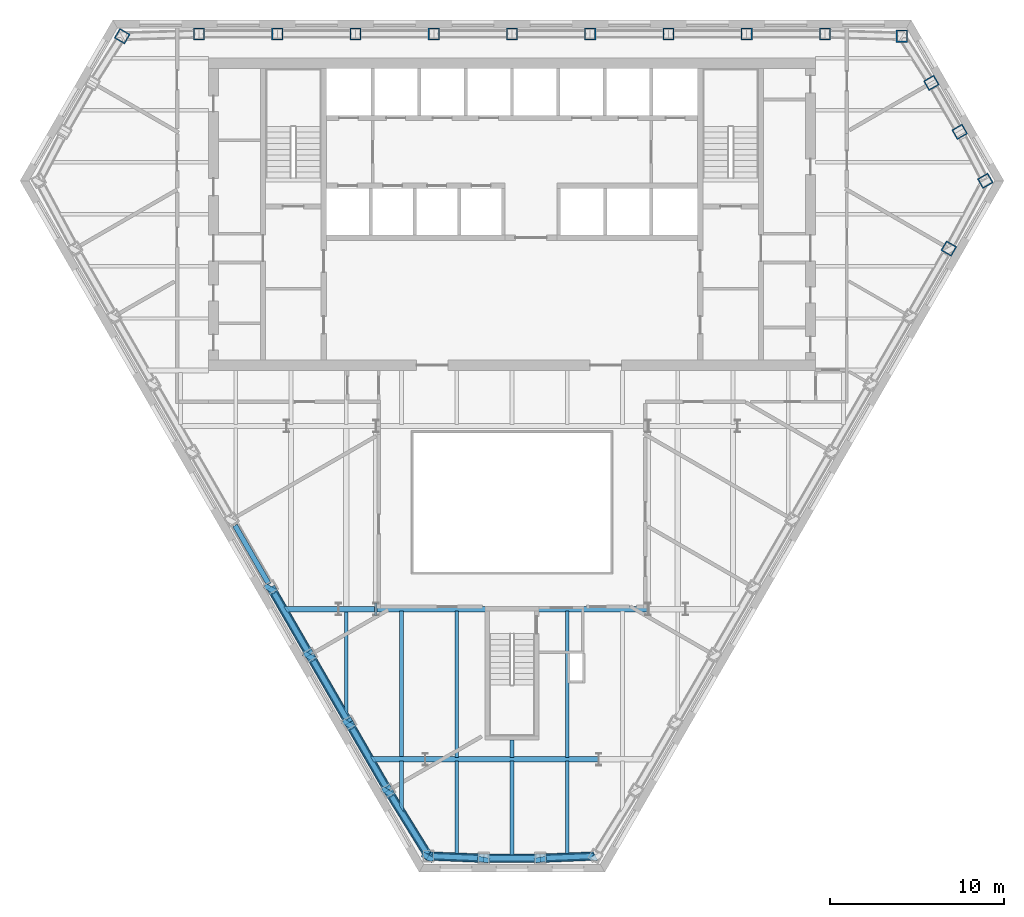
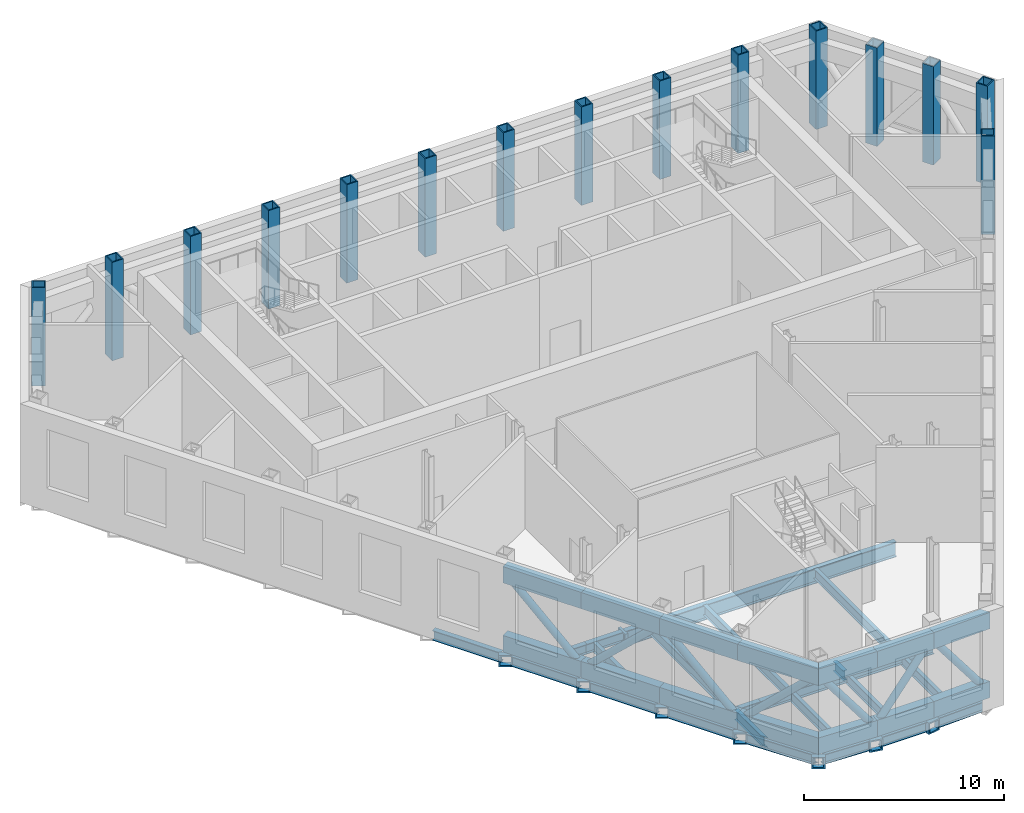
# One storey, part 2 of 14: 30 beams, 21 members, 15 columns.
"""IFC4 building model written with IfcOpenShell, lengths in metres."""

from ifc_helpers import new_model, si_unit, direction, frame, origin, origin_2d, place, context, subcontext, project, spatial, hollow_rectangle, hollow_circle, i_section, extrude, clip, halfspace, material, material_profile, profile_set, type_object, element, save


model = new_model("IFC4")

# Units and contexts
model_context = context("Model", 3, precision=1e-05, world=origin(), true_north=direction((0.0, 1.0)))
body_context = subcontext(model_context, "Body", "Model", "MODEL_VIEW")
ifc_project = project(units=[si_unit("LENGTHUNIT", "METRE"), si_unit("AREAUNIT", "SQUARE_METRE"), si_unit("VOLUMEUNIT", "CUBIC_METRE"), si_unit("PLANEANGLEUNIT", "RADIAN"), si_unit("MASSUNIT", "GRAM", prefix="KILO")], contexts=[model_context])

# Site, building, storey
site_placement = place(None, origin())
site = spatial("IfcSite", under=ifc_project, at=site_placement, CompositionType="ELEMENT")
building_placement = place(site_placement, origin())
building = spatial("IfcBuilding", under=site, at=building_placement, Name="Njiva Tower", CompositionType="ELEMENT")
storey_placement = place(building_placement, frame((0.0, 0.0, 78.3)))
storey = spatial("IfcBuildingStorey", under=building, at=storey_placement, Name="L16", CompositionType="ELEMENT", Elevation=78.3)

# Columns
ifc_material_1 = material(Name="Steel S355 J2", Category="steel")
ifc_material_profile_1 = material_profile(ifc_material_1, hollow_rectangle(XDim=0.65, YDim=0.7, WallThickness=0.065, at=origin_2d()), Name="BOX 700x650x65")
ifc_profile_set_1 = profile_set([ifc_material_profile_1], Name="Steel S355 J2")
column_type = type_object("IfcColumnType", Name="C7 Perimeter tube column BOX 700x650x65", PredefinedType="COLUMN", material=ifc_profile_set_1)
for number, where, z_axis, x_axis, name in (
    (1, (22.461, 19.267, 0.0), (0.0, 0.0, 1.0), (-1.0, 0.0, 0.0), "Perimeter tube column T1-C01"),
    (2, (18.03, 19.4, 0.0), (0.0, 0.0, 1.0), (-1.0, 0.0, 0.0), "Perimeter tube column T1-C02"),
    (3, (13.523, 19.4, 0.0), (0.0, 0.0, 1.0), (-1.0, 0.0, 0.0), "Perimeter tube column T1-C03"),
    (4, (9.015, 19.4, 0.0), (0.0, 0.0, 1.0), (-1.0, 0.0, 0.0), "Perimeter tube column T1-C04"),
    (5, (4.508, 19.4, 0.0), (0.0, 0.0, 1.0), (-1.0, 0.0, 0.0), "Perimeter tube column T1-C05"),
    (6, (0.0, 19.4, 0.0), (0.0, 0.0, 1.0), (-1.0, 0.0, 0.0), "Perimeter tube column T1-C06"),
    (7, (-4.508, 19.4, 0.0), (0.0, 0.0, 1.0), (-1.0, 0.0, 0.0), "Perimeter tube column T1-C07"),
    (8, (-9.015, 19.4, 0.0), (0.0, 0.0, 1.0), (-1.0, 0.0, 0.0), "Perimeter tube column T1-C08"),
    (9, (-13.523, 19.4, 0.0), (0.0, 0.0, 1.0), (-1.0, 0.0, 0.0), "Perimeter tube column T1-C09"),
    (10, (-18.03, 19.4, 0.0), (0.0, 0.0, 1.0), (-1.0, 0.0, 0.0), "Perimeter tube column T1-C10"),
    (11, (-22.461, 19.267, 0.0), (0.0, 0.0, 1.0), (-0.5, -0.866025403784, 0.0), "Perimeter tube column T1-C11"),
    (12, (25.172, 7.03, 0.0), (0.0, 0.0, 1.0), (0.5, 0.866025403784, 0.0), "Perimeter tube column T1-C36"),
    (13, (27.273, 10.934, 0.0), (0.0, 0.0, 1.0), (-0.5, 0.866025403784, 0.0), "Perimeter tube column T1-C37"),
    (14, (25.797, 13.756, 0.0), (0.0, 0.0, 1.0), (-0.5, 0.866025403784, 0.0), "Perimeter tube column T1-C38"),
    (15, (24.167, 16.578, 0.0), (0.0, 0.0, 1.0), (-0.5, 0.866025403784, 0.0), "Perimeter tube column T1-C39"),
):
    element("IfcColumn", number, at=place(storey_placement, frame(where, z_axis=z_axis, x_axis=x_axis)), inside=storey, type_object=column_type, Name=name, PredefinedType="COLUMN", context=body_context, shape_type="SweptSolid", body=[
        extrude(hollow_rectangle(XDim=0.65, YDim=0.7, WallThickness=0.065, at=origin_2d()), origin(), (0.0, 0.0, 1.0), 6.0),
    ])

# Beams
ifc_material_profile_2 = material_profile(ifc_material_1, i_section(OverallWidth=0.22, OverallDepth=0.6, WebThickness=0.012, FlangeThickness=0.019, at=origin_2d()), Name="IPE 600")
ifc_profile_set_2 = profile_set([ifc_material_profile_2], Name="Steel S355 J2")
beam_type_1 = type_object("IfcBeamType", Name="B13 Floor joist IPE 600", PredefinedType="JOIST", material=ifc_profile_set_2)
beam_1_placement = place(storey_placement, frame((-9.55, -13.85, -0.5), z_axis=(0.0, -1.0, 0.0), x_axis=(1.0, 0.0, 0.0)))
element("IfcBeam", 16, at=beam_1_placement, inside=storey, type_object=beam_type_1, Name="Floor joist T1-B063", PredefinedType="JOIST", context=body_context, shape_type="Clipping", body=[
    clip(extrude(i_section(OverallWidth=0.22, OverallDepth=0.6, WebThickness=0.012, FlangeThickness=0.019, at=origin_2d()), origin(), (0.0, 0.0, 1.0), 6.19), halfspace(frame((-0.0433, 0.0, 5.904), z_axis=(-0.866026552831, 0.0, 0.499998009787), x_axis=(0.0, 1.0, 0.0)), False)),
])
for number, where, z_axis, x_axis, name in (
    (17, (-6.367, -13.851, -0.5), (0.0, -1.0, 0.0), (1.0, 0.0, 0.0), "Floor joist T1-B067"),
    (18, (-3.183, -13.851, -0.5), (0.0, -1.0, 0.0), (1.0, 0.0, 0.0), "Floor joist T1-B070"),
):
    element("IfcBeam", number, at=place(storey_placement, frame(where, z_axis=z_axis, x_axis=x_axis)), inside=storey, type_object=beam_type_1, Name=name, PredefinedType="JOIST", context=body_context, shape_type="SweptSolid", body=[
        extrude(i_section(OverallWidth=0.22, OverallDepth=0.6, WebThickness=0.012, FlangeThickness=0.019, at=origin_2d()), origin(), (0.0, 0.0, 1.0), 8.449),
    ])
beam_2_placement = place(storey_placement, frame((-3.183, -22.5, -0.5), z_axis=(0.0, -1.0, 0.0), x_axis=(1.0, 0.0, 0.0)))
element("IfcBeam", 19, at=beam_2_placement, inside=storey, type_object=beam_type_1, Name="Floor joist T1-B069", PredefinedType="JOIST", context=body_context, shape_type="SweptSolid", body=[
    extrude(i_section(OverallWidth=0.22, OverallDepth=0.6, WebThickness=0.012, FlangeThickness=0.019, at=origin_2d()), origin(), (0.0, 0.0, 1.0), 5.435),
])
beam_3_placement = place(storey_placement, frame((0.0, -22.5, -0.5), z_axis=(0.0, -1.0, 0.0), x_axis=(1.0, 0.0, 0.0)))
element("IfcBeam", 20, at=beam_3_placement, inside=storey, type_object=beam_type_1, Name="Floor joist T1-B072", PredefinedType="JOIST", context=body_context, shape_type="SweptSolid", body=[
    extrude(i_section(OverallWidth=0.22, OverallDepth=0.6, WebThickness=0.012, FlangeThickness=0.019, at=origin_2d()), origin(), (0.0, 0.0, 1.0), 5.504),
])
beam_4_placement = place(storey_placement, frame((3.183, -13.851, -0.5), z_axis=(0.0, -1.0, 0.0), x_axis=(1.0, 0.0, 0.0)))
element("IfcBeam", 21, at=beam_4_placement, inside=storey, type_object=beam_type_1, Name="Floor joist T1-B076", PredefinedType="JOIST", context=body_context, shape_type="SweptSolid", body=[
    extrude(i_section(OverallWidth=0.22, OverallDepth=0.6, WebThickness=0.012, FlangeThickness=0.019, at=origin_2d()), origin(), (0.0, 0.0, 1.0), 8.449),
])
beam_5_placement = place(storey_placement, frame((3.183, -22.5, -0.5), z_axis=(0.0, -1.0, 0.0), x_axis=(1.0, 0.0, 0.0)))
element("IfcBeam", 22, at=beam_5_placement, inside=storey, type_object=beam_type_1, Name="Floor joist T1-B075", PredefinedType="JOIST", context=body_context, shape_type="SweptSolid", body=[
    extrude(i_section(OverallWidth=0.22, OverallDepth=0.6, WebThickness=0.012, FlangeThickness=0.019, at=origin_2d()), origin(), (0.0, 0.0, 1.0), 5.435),
])
ifc_material_profile_3 = material_profile(ifc_material_1, i_section(OverallWidth=0.22, OverallDepth=0.6, WebThickness=0.012, FlangeThickness=0.019, at=origin_2d()), Name="IPE 600")
ifc_profile_set_3 = profile_set([ifc_material_profile_3], Name="Steel S355 J2")
beam_type_2 = type_object("IfcBeamType", Name="B14 Short-span floor joist IPE 600", PredefinedType="JOIST", material=ifc_profile_set_3)
beam_6_placement = place(storey_placement, frame((-6.367, -22.5, -0.5), z_axis=(0.0, -1.0, 0.0), x_axis=(1.0, 0.0, 0.0)))
element("IfcBeam", 23, at=beam_6_placement, inside=storey, type_object=beam_type_2, Name="Short-span floor joist T1-B066", PredefinedType="JOIST", context=body_context, shape_type="Clipping", body=[
    clip(extrude(i_section(OverallWidth=0.22, OverallDepth=0.6, WebThickness=0.012, FlangeThickness=0.019, at=origin_2d()), origin(), (0.0, 0.0, 1.0), 2.962), halfspace(frame((-0.0422, 0.0, 2.6952), z_axis=(-0.850620428373, 0.0, 0.525780264783), x_axis=(0.0, 1.0, 0.0)), False)),
])
beam_7_placement = place(storey_placement, frame((0.0, -21.3, -0.5), z_axis=(0.0, -1.0, 0.0), x_axis=(1.0, 0.0, 0.0)))
element("IfcBeam", 24, at=beam_7_placement, inside=storey, type_object=beam_type_2, Name="Short-span floor joist T1-B073", PredefinedType="JOIST", context=body_context, shape_type="SweptSolid", body=[
    extrude(i_section(OverallWidth=0.22, OverallDepth=0.6, WebThickness=0.012, FlangeThickness=0.019, at=origin_2d()), origin(), (0.0, 0.0, 1.0), 1.0),
])
ifc_material_profile_4 = material_profile(ifc_material_1, hollow_rectangle(XDim=0.7, YDim=0.7, WallThickness=0.08, at=origin_2d()), Name="BOX 700x700x80")
ifc_profile_set_4 = profile_set([ifc_material_profile_4], Name="Steel S355 J2")
beam_type_3 = type_object("IfcBeamType", Name="B19 Column jog beam BOX 700x700x80", PredefinedType="BEAM", material=ifc_profile_set_4)
for number, where, z_axis, x_axis, name in (
    (25, (-14.023, -12.697, -0.55), (0.49972245349, 0.866185586049, 0.0), (-0.866185586049, 0.49972245349, 0.0), "Column jog beam T1-B034"),
    (26, (-11.77, -16.6, -0.55), (0.49972245349, 0.866185586049, 0.0), (-0.866185586049, 0.49972245349, 0.0), "Column jog beam T1-B035"),
    (27, (-9.516, -20.504, -0.55), (0.49972245349, 0.866185586049, 0.0), (-0.866185586049, 0.49972245349, 0.0), "Column jog beam T1-B036"),
    (28, (-7.262, -24.408, -0.55), (0.49972245349, 0.866185586049, 0.0), (-0.866185586049, 0.49972245349, 0.0), "Column jog beam T1-B039"),
):
    element("IfcBeam", number, at=place(storey_placement, frame(where, z_axis=z_axis, x_axis=x_axis)), inside=storey, type_object=beam_type_3, Name=name, PredefinedType="BEAM", context=body_context, shape_type="SweptSolid", body=[
        extrude(hollow_rectangle(XDim=0.7, YDim=0.7, WallThickness=0.08, at=origin_2d()), origin(), (0.0, 0.0, 1.0), 0.3002),
    ])
beam_8_placement = place(storey_placement, frame((-4.931, -28.178, -0.55), z_axis=(0.501167968632, 0.865350025838, 0.0), x_axis=(-0.865350025838, 0.501167968632, 0.0)))
element("IfcBeam", 29, at=beam_8_placement, inside=storey, type_object=beam_type_3, Name="Column jog beam T1-B040", PredefinedType="BEAM", context=body_context, shape_type="SweptSolid", body=[
    extrude(hollow_rectangle(XDim=0.7, YDim=0.7, WallThickness=0.08, at=origin_2d()), origin(), (0.0, 0.0, 1.0), 0.2993),
])
for number, where, z_axis, x_axis, name in (
    (30, (-1.67, -28.319, -0.55), (0.186452999461, 0.982463881775, 0.0), (-0.982463881775, 0.186452999461, 0.0), "Column jog beam T1-B041"),
    (31, (1.67, -28.319, -0.55), (-0.186452999461, 0.982463881775, 0.0), (-0.982463881775, -0.186452999461, 0.0), "Column jog beam T1-B042"),
):
    element("IfcBeam", number, at=place(storey_placement, frame(where, z_axis=z_axis, x_axis=x_axis)), inside=storey, type_object=beam_type_3, Name=name, PredefinedType="BEAM", context=body_context, shape_type="SweptSolid", body=[
        extrude(hollow_rectangle(XDim=0.7, YDim=0.7, WallThickness=0.08, at=origin_2d()), origin(), (0.0, 0.0, 1.0), 0.2789),
    ])
beam_9_placement = place(storey_placement, frame((-7.93, -13.75, -0.55), z_axis=(1.0, 0.0, 0.0), x_axis=(0.0, 1.0, 0.0)))
element("IfcBeam", 32, at=beam_9_placement, inside=storey, type_object=beam_type_3, Name="Column jog beam T1-B037", PredefinedType="BEAM", context=body_context, shape_type="SweptSolid", body=[
    extrude(hollow_rectangle(XDim=0.7, YDim=0.7, WallThickness=0.08, at=origin_2d()), origin(), (0.0, 0.0, 1.0), 0.16),
])
ifc_material_profile_5 = material_profile(ifc_material_1, i_section(OverallWidth=0.3, OverallDepth=0.6, WebThickness=0.0155, FlangeThickness=0.03, at=origin_2d()), Name="HEB 600")
ifc_profile_set_5 = profile_set([ifc_material_profile_5], Name="Steel S355 J2")
beam_type_4 = type_object("IfcBeamType", Name="B21 Short-span floor girder HEB 600", PredefinedType="BEAM", material=ifc_profile_set_5)
beam_10_placement = place(storey_placement, frame((-13.167, -13.75, -0.5), z_axis=(1.0, 0.0, 0.0), x_axis=(0.0, 1.0, 0.0)))
element("IfcBeam", 33, at=beam_10_placement, inside=storey, type_object=beam_type_4, Name="Short-span floor girder T1-B015", PredefinedType="BEAM", context=body_context, shape_type="Clipping", body=[
    clip(extrude(i_section(OverallWidth=0.3, OverallDepth=0.6, WebThickness=0.0155, FlangeThickness=0.03, at=origin_2d()), origin(), (0.0, 0.0, 1.0), 3.167), halfspace(frame((-0.025, 0.0, 0.1217), z_axis=(-0.499998009787, 0.0, -0.866026552831), x_axis=(0.0, -1.0, 0.0)), False)),
])
beam_11_placement = place(storey_placement, frame((-10.0, -13.75, -0.5), z_axis=(1.0, 0.0, 0.0), x_axis=(0.0, 1.0, 0.0)))
element("IfcBeam", 34, at=beam_11_placement, inside=storey, type_object=beam_type_4, Name="Short-span floor girder T1-B017", PredefinedType="BEAM", context=body_context, shape_type="SweptSolid", body=[
    extrude(i_section(OverallWidth=0.3, OverallDepth=0.6, WebThickness=0.0155, FlangeThickness=0.03, at=origin_2d()), origin(), (0.0, 0.0, 1.0), 2.17),
])
beam_12_placement = place(storey_placement, frame((-8.173, -22.4, -0.5), z_axis=(1.0, 0.0, 0.0), x_axis=(0.0, 1.0, 0.0)))
element("IfcBeam", 35, at=beam_12_placement, inside=storey, type_object=beam_type_4, Name="Short-span floor girder T1-B018", PredefinedType="BEAM", context=body_context, shape_type="Clipping", body=[
    clip(extrude(i_section(OverallWidth=0.3, OverallDepth=0.6, WebThickness=0.0155, FlangeThickness=0.03, at=origin_2d()), origin(), (0.0, 0.0, 1.0), 3.173), halfspace(frame((-0.025, 0.0, 0.1218), z_axis=(-0.499998009787, 0.0, -0.866026552831), x_axis=(0.0, -1.0, 0.0)), False)),
])
ifc_material_profile_6 = material_profile(ifc_material_1, i_section(OverallWidth=0.3, OverallDepth=0.6, WebThickness=0.0155, FlangeThickness=0.03, at=origin_2d()), Name="HEB 600")
ifc_profile_set_6 = profile_set([ifc_material_profile_6], Name="Steel S355 J2")
beam_type_5 = type_object("IfcBeamType", Name="B22 Long-span floor girder HEB 600", PredefinedType="BEAM", material=ifc_profile_set_6)
beam_13_placement = place(storey_placement, frame((-5.0, -22.4, -0.5), z_axis=(1.0, 0.0, 0.0), x_axis=(0.0, 1.0, 0.0)))
element("IfcBeam", 36, at=beam_13_placement, inside=storey, type_object=beam_type_5, Name="Long-span floor girder T1-B019", PredefinedType="BEAM", context=body_context, shape_type="SweptSolid", body=[
    extrude(i_section(OverallWidth=0.3, OverallDepth=0.6, WebThickness=0.0155, FlangeThickness=0.03, at=origin_2d()), origin(), (0.0, 0.0, 1.0), 10.0),
])
ifc_material_profile_7 = material_profile(ifc_material_1, i_section(OverallWidth=0.3, OverallDepth=0.6, WebThickness=0.0155, FlangeThickness=0.03, at=origin_2d()), Name="HEB 600")
ifc_profile_set_7 = profile_set([ifc_material_profile_7], Name="Steel S355 J2")
beam_type_6 = type_object("IfcBeamType", Name="B3 Short-span spandrel beam HEB 600", PredefinedType="SPANDREL", material=ifc_profile_set_7)
beam_14_placement = place(storey_placement, frame((-15.962, -8.923, -0.5), z_axis=(0.500047346826, -0.865998066356, 0.0), x_axis=(0.865998066356, 0.500047346826, 0.0)))
element("IfcBeam", 37, at=beam_14_placement, inside=storey, type_object=beam_type_6, Name="Short-span spandrel beam T1-B103", PredefinedType="SPANDREL", context=body_context, shape_type="SweptSolid", body=[
    extrude(i_section(OverallWidth=0.3, OverallDepth=0.6, WebThickness=0.0155, FlangeThickness=0.03, at=origin_2d()), origin(), (0.0, 0.0, 1.0), 3.9076),
])
beam_15_placement = place(storey_placement, frame((-13.708, -12.827, -0.5), z_axis=(0.499966215292, -0.866044908516, 0.0), x_axis=(0.866044908516, 0.499966215292, 0.0)))
element("IfcBeam", 38, at=beam_15_placement, inside=storey, type_object=beam_type_6, Name="Short-span spandrel beam T1-B104", PredefinedType="SPANDREL", context=body_context, shape_type="SweptSolid", body=[
    extrude(i_section(OverallWidth=0.3, OverallDepth=0.6, WebThickness=0.0155, FlangeThickness=0.03, at=origin_2d()), origin(), (0.0, 0.0, 1.0), 3.9063),
])
for number, where, z_axis, x_axis, name in (
    (39, (-11.455, -16.73, -0.5), (0.500047346826, -0.865998066356, 0.0), (0.865998066356, 0.500047346826, 0.0), "Short-span spandrel beam T1-B106"),
    (40, (-9.201, -20.634, -0.5), (0.500047346826, -0.865998066356, 0.0), (0.865998066356, 0.500047346826, 0.0), "Short-span spandrel beam T1-B107"),
):
    element("IfcBeam", number, at=place(storey_placement, frame(where, z_axis=z_axis, x_axis=x_axis)), inside=storey, type_object=beam_type_6, Name=name, PredefinedType="SPANDREL", context=body_context, shape_type="SweptSolid", body=[
        extrude(i_section(OverallWidth=0.3, OverallDepth=0.6, WebThickness=0.0155, FlangeThickness=0.03, at=origin_2d()), origin(), (0.0, 0.0, 1.0), 3.9076),
    ])
beam_16_placement = place(storey_placement, frame((-6.935, -24.535, -0.5), z_axis=(0.525740490593, -0.850645012065, 0.0), x_axis=(0.850645012065, 0.525740490593, 0.0)))
element("IfcBeam", 41, at=beam_16_placement, inside=storey, type_object=beam_type_6, Name="Short-span spandrel beam T1-B109", PredefinedType="SPANDREL", context=body_context, shape_type="Clipping", body=[
    clip(extrude(i_section(OverallWidth=0.3, OverallDepth=0.6, WebThickness=0.0155, FlangeThickness=0.03, at=origin_2d()), origin(), (0.0, 0.0, 1.0), 3.9818), halfspace(frame((-0.0259, 0.0, 3.8528), z_axis=(-0.525740490593, 0.0, 0.850645012065), x_axis=(0.0, 1.0, 0.0)), False)),
])
beam_17_placement = place(storey_placement, frame((-4.596, -27.98, -0.5), z_axis=(0.999127801914, -0.041756861022, 0.0), x_axis=(0.041756861022, 0.999127801914, 0.0)))
element("IfcBeam", 42, at=beam_17_placement, inside=storey, type_object=beam_type_6, Name="Short-span spandrel beam T1-B110", PredefinedType="SPANDREL", context=body_context, shape_type="SweptSolid", body=[
    extrude(i_section(OverallWidth=0.3, OverallDepth=0.6, WebThickness=0.0155, FlangeThickness=0.03, at=origin_2d()), origin(), (0.0, 0.0, 1.0), 2.6343),
])
beam_18_placement = place(storey_placement, frame((-1.359, -28.104, -0.5), z_axis=(1.0, 0.0, 0.0), x_axis=(0.0, 1.0, 0.0)))
element("IfcBeam", 43, at=beam_18_placement, inside=storey, type_object=beam_type_6, Name="Short-span spandrel beam T1-B112", PredefinedType="SPANDREL", context=body_context, shape_type="SweptSolid", body=[
    extrude(i_section(OverallWidth=0.3, OverallDepth=0.6, WebThickness=0.0155, FlangeThickness=0.03, at=origin_2d()), origin(), (0.0, 0.0, 1.0), 2.718),
])
beam_19_placement = place(storey_placement, frame((1.964, -28.09, -0.5), z_axis=(0.999125290751, 0.041816903051, 0.0), x_axis=(-0.041816903051, 0.999125290751, 0.0)))
element("IfcBeam", 44, at=beam_19_placement, inside=storey, type_object=beam_type_6, Name="Short-span spandrel beam T1-B114", PredefinedType="SPANDREL", context=body_context, shape_type="Clipping", body=[
    clip(extrude(i_section(OverallWidth=0.3, OverallDepth=0.6, WebThickness=0.0155, FlangeThickness=0.03, at=origin_2d()), origin(), (0.0, 0.0, 1.0), 2.7933), halfspace(frame((-0.0265, 0.0, 2.6616), z_axis=(-0.535775205303, 0.0, 0.844360663095), x_axis=(0.0, 1.0, 0.0)), False)),
])
ifc_material_profile_8 = material_profile(ifc_material_1, i_section(OverallWidth=0.302, OverallDepth=0.91, WebThickness=0.021, FlangeThickness=0.04, at=origin_2d()), Name="HEM 900")
ifc_profile_set_8 = profile_set([ifc_material_profile_8], Name="Steel S355 J2")
beam_type_7 = type_object("IfcBeamType", Name="B8 Long-span atrium trimmer beam HEM 900", PredefinedType="BEAM", material=ifc_profile_set_8)
beam_20_placement = place(storey_placement, frame((-7.83, -13.75, -0.655), z_axis=(1.0, 0.0, 0.0), x_axis=(0.0, 1.0, 0.0)))
element("IfcBeam", 45, at=beam_20_placement, inside=storey, type_object=beam_type_7, Name="Long-span atrium trimmer beam T1-B089", PredefinedType="BEAM", context=body_context, shape_type="SweptSolid", body=[
    extrude(i_section(OverallWidth=0.302, OverallDepth=0.91, WebThickness=0.021, FlangeThickness=0.04, at=origin_2d()), origin(), (0.0, 0.0, 1.0), 15.66),
])

# Members
ifc_material_profile_9 = material_profile(ifc_material_1, hollow_rectangle(XDim=0.5, YDim=1.0, WallThickness=0.06, at=origin_2d()), Name="BOX 1000x500x60")
ifc_profile_set_9 = profile_set([ifc_material_profile_9], Name="Steel S355 J2")
member_type_1 = type_object("IfcMemberType", Name="TC1 Transfer and belt truss chord BOX 1000x500x60", PredefinedType="CHORD", material=ifc_profile_set_9)
for number, where, z_axis, x_axis, name in (
    (46, (-13.903, -12.489, 0.5), (0.499933745558, -0.866063652425, 0.0), (0.866063652425, 0.499933745558, 0.0), "Transfer and belt truss chord T1-TR058"),
    (47, (-13.903, -12.489, 4.7), (0.499933745558, -0.866063652425, 0.0), (0.866063652425, 0.499933745558, 0.0), "Transfer and belt truss chord T1-TR059"),
):
    element("IfcMember", number, at=place(storey_placement, frame(where, z_axis=z_axis, x_axis=x_axis)), inside=storey, type_object=member_type_1, Name=name, PredefinedType="CHORD", context=body_context, shape_type="SweptSolid", body=[
        extrude(hollow_rectangle(XDim=0.5, YDim=1.0, WallThickness=0.06, at=origin_2d()), origin(), (0.0, 0.0, 1.0), 4.5066),
    ])
for number, where, z_axis, x_axis, name in (
    (48, (-11.65, -16.392, 0.5), (0.500004084281, -0.866023045711, 0.0), (0.866023045711, 0.500004084281, 0.0), "Transfer and belt truss chord T1-TR061"),
    (49, (-11.65, -16.392, 4.7), (0.500004084281, -0.866023045711, 0.0), (0.866023045711, 0.500004084281, 0.0), "Transfer and belt truss chord T1-TR062"),
):
    element("IfcMember", number, at=place(storey_placement, frame(where, z_axis=z_axis, x_axis=x_axis)), inside=storey, type_object=member_type_1, Name=name, PredefinedType="CHORD", context=body_context, shape_type="SweptSolid", body=[
        extrude(hollow_rectangle(XDim=0.5, YDim=1.0, WallThickness=0.06, at=origin_2d()), origin(), (0.0, 0.0, 1.0), 4.508),
    ])
member_1_placement = place(storey_placement, frame((-9.396, -20.296, 0.5), z_axis=(0.500004084281, -0.866023045711, 0.0), x_axis=(0.866023045711, 0.500004084281, 0.0)))
element("IfcMember", 50, at=member_1_placement, inside=storey, type_object=member_type_1, Name="Transfer and belt truss chord T1-TR064", PredefinedType="CHORD", context=body_context, shape_type="Clipping", body=[
    clip(extrude(hollow_rectangle(XDim=0.5, YDim=1.0, WallThickness=0.06, at=origin_2d()), origin(), (0.0, 0.0, 1.0), 4.542), halfspace(frame((0.0, -78.8, 4.508), z_axis=(0.015026707925, 0.0, 0.99988709265), x_axis=(0.0, 1.0, 0.0)), False)),
])
member_2_placement = place(storey_placement, frame((-9.396, -20.296, 4.7), z_axis=(0.500004084281, -0.866023045711, 0.0), x_axis=(0.866023045711, 0.500004084281, 0.0)))
element("IfcMember", 51, at=member_2_placement, inside=storey, type_object=member_type_1, Name="Transfer and belt truss chord T1-TR065", PredefinedType="CHORD", context=body_context, shape_type="Clipping", body=[
    clip(extrude(hollow_rectangle(XDim=0.5, YDim=1.0, WallThickness=0.06, at=origin_2d()), origin(), (0.0, 0.0, 1.0), 4.542), halfspace(frame((0.0, -83.0, 4.508), z_axis=(0.015026707925, 0.0, 0.99988709265), x_axis=(0.0, 1.0, 0.0)), False)),
])
member_3_placement = place(storey_placement, frame((-7.1599, -24.1711, 0.5), z_axis=(0.525795391851, -0.850611077936, 0.0), x_axis=(0.850611077936, 0.525795391851, 0.0)))
element("IfcMember", 52, at=member_3_placement, inside=storey, type_object=member_type_1, Name="Transfer and belt truss chord T1-TR067", PredefinedType="CHORD", context=body_context, shape_type="Clipping", body=[
    clip(clip(extrude(hollow_rectangle(XDim=0.5, YDim=1.0, WallThickness=0.06, at=origin_2d()), origin(), (0.0, 0.0, 1.0), 4.6303), halfspace(frame((0.0, -78.8, 0.034), z_axis=(0.015018596148, 0.0, -0.999887214525), x_axis=(0.0, -1.0, 0.0)), False)), halfspace(frame((0.0, -78.8, 4.4673), z_axis=(0.468581276608, 0.0, 0.883420390987), x_axis=(0.0, 1.0, 0.0)), False)),
])
member_4_placement = place(storey_placement, frame((-7.1599, -24.1711, 4.7), z_axis=(0.525795391851, -0.850611077936, 0.0), x_axis=(0.850611077936, 0.525795391851, 0.0)))
element("IfcMember", 53, at=member_4_placement, inside=storey, type_object=member_type_1, Name="Transfer and belt truss chord T1-TR068", PredefinedType="CHORD", context=body_context, shape_type="Clipping", body=[
    clip(clip(extrude(hollow_rectangle(XDim=0.5, YDim=1.0, WallThickness=0.06, at=origin_2d()), origin(), (0.0, 0.0, 1.0), 4.6303), halfspace(frame((0.0, -83.0, 0.034), z_axis=(0.015018596148, 0.0, -0.999887214525), x_axis=(0.0, -1.0, 0.0)), False)), halfspace(frame((0.0, -83.0, 4.4673), z_axis=(0.468581276608, 0.0, 0.883420390987), x_axis=(0.0, 1.0, 0.0)), False)),
])
member_5_placement = place(storey_placement, frame((-4.9739, -27.9642, 0.5), z_axis=(0.999127622726, -0.041761148279, 0.0), x_axis=(0.041761148279, 0.999127622726, 0.0)))
element("IfcMember", 54, at=member_5_placement, inside=storey, type_object=member_type_1, Name="Transfer and belt truss chord T1-TR070", PredefinedType="CHORD", context=body_context, shape_type="Clipping", body=[
    clip(clip(extrude(hollow_rectangle(XDim=0.5, YDim=1.0, WallThickness=0.06, at=origin_2d()), origin(), (0.0, 0.0, 1.0), 3.3828), halfspace(frame((0.0, -78.8, 0.163), z_axis=(0.468585522573, 0.0, -0.883418138842), x_axis=(0.0, -1.0, 0.0)), False)), halfspace(frame((0.0, -78.8, 3.3478), z_axis=(0.020880221949, 0.0, 0.9997819844), x_axis=(0.0, 1.0, 0.0)), False)),
])
member_6_placement = place(storey_placement, frame((-4.9739, -27.9642, 4.7), z_axis=(0.999127622726, -0.041761148279, 0.0), x_axis=(0.041761148279, 0.999127622726, 0.0)))
element("IfcMember", 55, at=member_6_placement, inside=storey, type_object=member_type_1, Name="Transfer and belt truss chord T1-TR071", PredefinedType="CHORD", context=body_context, shape_type="Clipping", body=[
    clip(clip(extrude(hollow_rectangle(XDim=0.5, YDim=1.0, WallThickness=0.06, at=origin_2d()), origin(), (0.0, 0.0, 1.0), 3.3828), halfspace(frame((0.0, -83.0, 0.163), z_axis=(0.468585522573, 0.0, -0.883418138842), x_axis=(0.0, -1.0, 0.0)), False)), halfspace(frame((0.0, -83.0, 3.3478), z_axis=(0.020880221949, 0.0, 0.9997819844), x_axis=(0.0, 1.0, 0.0)), False)),
])
member_7_placement = place(storey_placement, frame((-1.664, -28.104, 0.5), z_axis=(1.0, 0.0, 0.0), x_axis=(0.0, 1.0, 0.0)))
element("IfcMember", 56, at=member_7_placement, inside=storey, type_object=member_type_1, Name="Transfer and belt truss chord T1-TR073", PredefinedType="CHORD", context=body_context, shape_type="Clipping", body=[
    clip(clip(extrude(hollow_rectangle(XDim=0.5, YDim=1.0, WallThickness=0.06, at=origin_2d()), origin(), (0.0, 0.0, 1.0), 3.328), halfspace(frame((0.0, -78.8, 0.035), z_axis=(0.020890037179, 0.0, -0.999781779363), x_axis=(0.0, -1.0, 0.0)), False)), halfspace(frame((0.0, -78.8, 3.293), z_axis=(0.020890037179, 0.0, 0.999781779363), x_axis=(0.0, 1.0, 0.0)), False)),
])
member_8_placement = place(storey_placement, frame((-1.664, -28.104, 4.7), z_axis=(1.0, 0.0, 0.0), x_axis=(0.0, 1.0, 0.0)))
element("IfcMember", 57, at=member_8_placement, inside=storey, type_object=member_type_1, Name="Transfer and belt truss chord T1-TR074", PredefinedType="CHORD", context=body_context, shape_type="Clipping", body=[
    clip(clip(extrude(hollow_rectangle(XDim=0.5, YDim=1.0, WallThickness=0.06, at=origin_2d()), origin(), (0.0, 0.0, 1.0), 3.328), halfspace(frame((0.0, -83.0, 0.035), z_axis=(0.020890037179, 0.0, -0.999781779363), x_axis=(0.0, -1.0, 0.0)), False)), halfspace(frame((0.0, -83.0, 3.293), z_axis=(0.020890037179, 0.0, 0.999781779363), x_axis=(0.0, 1.0, 0.0)), False)),
])
member_9_placement = place(storey_placement, frame((1.594, -28.1055, 0.5), z_axis=(0.999127622726, 0.041761148279, 0.0), x_axis=(-0.041761148279, 0.999127622726, 0.0)))
element("IfcMember", 58, at=member_9_placement, inside=storey, type_object=member_type_1, Name="Transfer and belt truss chord T1-TR076", PredefinedType="CHORD", context=body_context, shape_type="Clipping", body=[
    clip(clip(extrude(hollow_rectangle(XDim=0.5, YDim=1.0, WallThickness=0.06, at=origin_2d()), origin(), (0.0, 0.0, 1.0), 3.3828), halfspace(frame((0.0, -78.8, 0.035), z_axis=(0.020880221949, 0.0, -0.9997819844), x_axis=(0.0, -1.0, 0.0)), False)), halfspace(frame((0.0, -78.8, 3.2198), z_axis=(0.468585522573, 0.0, 0.883418138842), x_axis=(0.0, 1.0, 0.0)), False)),
])
member_10_placement = place(storey_placement, frame((1.594, -28.1055, 4.7), z_axis=(0.999127622726, 0.041761148279, 0.0), x_axis=(-0.041761148279, 0.999127622726, 0.0)))
element("IfcMember", 59, at=member_10_placement, inside=storey, type_object=member_type_1, Name="Transfer and belt truss chord T1-TR077", PredefinedType="CHORD", context=body_context, shape_type="Clipping", body=[
    clip(clip(extrude(hollow_rectangle(XDim=0.5, YDim=1.0, WallThickness=0.06, at=origin_2d()), origin(), (0.0, 0.0, 1.0), 3.3828), halfspace(frame((0.0, -83.0, 0.035), z_axis=(0.020880221949, 0.0, -0.9997819844), x_axis=(0.0, -1.0, 0.0)), False)), halfspace(frame((0.0, -83.0, 3.2198), z_axis=(0.468585522573, 0.0, 0.883418138842), x_axis=(0.0, 1.0, 0.0)), False)),
])
ifc_material_2 = material(Name="Steel S355 J2H", Category="steel")
ifc_material_profile_10 = material_profile(ifc_material_2, hollow_circle(Radius=0.2032, WallThickness=0.016, at=origin_2d()), Name="CHS 406.4x16")
ifc_profile_set_10 = profile_set([ifc_material_profile_10], Name="Steel S355 J2H")
member_type_2 = type_object("IfcMemberType", Name="TD1 Transfer and belt truss diagonal CHS 406.4x16", PredefinedType="BRACE", material=ifc_profile_set_10)
member_11_placement = place(storey_placement, frame((-13.9944, -12.3306, 4.8704), z_axis=(0.365728354332, -0.633572022617, -0.681783882909), x_axis=(0.866063652425, 0.499933745558, 0.0)))
element("IfcMember", 60, at=member_11_placement, inside=storey, type_object=member_type_2, Name="Transfer and belt truss diagonal T1-TR060", PredefinedType="BRACE", context=body_context, shape_type="Clipping", body=[
    clip(clip(extrude(hollow_circle(Radius=0.2032, WallThickness=0.016, at=origin_2d()), origin(), (0.0, 0.0, 1.0), 6.6603), halfspace(frame((18.2846, -2.994, -2.2439), z_axis=(0.0, 0.73155364602, -0.681783882909), x_axis=(0.0, -0.681783882909, -0.73155364602)), False)), halfspace(frame((18.2846, -5.3496, -0.0485), z_axis=(0.0, -0.73155364602, 0.681783882909), x_axis=(0.0, 0.681783882909, 0.73155364602)), False)),
])
member_12_placement = place(storey_placement, frame((-11.7415, -16.2336, 0.3296), z_axis=(0.365831335333, -0.633631558624, 0.681673295651), x_axis=(0.866023045711, 0.500004084281, 0.0)))
element("IfcMember", 61, at=member_12_placement, inside=storey, type_object=member_type_2, Name="Transfer and belt truss diagonal T1-TR063", PredefinedType="BRACE", context=body_context, shape_type="Clipping", body=[
    clip(clip(extrude(hollow_circle(Radius=0.2032, WallThickness=0.016, at=origin_2d()), origin(), (0.0, 0.0, 1.0), 6.6613), halfspace(frame((18.2852, 6.0647, -5.5405), z_axis=(0.0, -0.731656694083, -0.681673295651), x_axis=(0.0, -0.681673295651, 0.731656694083)), False)), halfspace(frame((18.2852, 8.4206, -3.3455), z_axis=(0.0, 0.731656694083, 0.681673295651), x_axis=(0.0, 0.681673295651, -0.731656694083)), False)),
])
member_13_placement = place(storey_placement, frame((-9.4875, -20.1376, 4.8704), z_axis=(0.365831335333, -0.633631558624, -0.681673295651), x_axis=(0.866023045711, 0.500004084281, 0.0)))
element("IfcMember", 62, at=member_13_placement, inside=storey, type_object=member_type_2, Name="Transfer and belt truss diagonal T1-TR066", PredefinedType="BRACE", context=body_context, shape_type="Clipping", body=[
    clip(clip(extrude(hollow_circle(Radius=0.2032, WallThickness=0.016, at=origin_2d()), origin(), (0.0, 0.0, 1.0), 6.6613), halfspace(frame((18.2852, -9.1376, -8.8388), z_axis=(0.0, 0.731656694083, -0.681673295651), x_axis=(0.0, -0.681673295651, -0.731656694083)), False)), halfspace(frame((18.2852, -11.4936, -6.6438), z_axis=(0.0, -0.731656694083, 0.681673295651), x_axis=(0.0, 0.681673295651, 0.731656694083)), False)),
])
member_14_placement = place(storey_placement, frame((-7.2359, -24.0481, 0.3308), z_axis=(0.381700543759, -0.617500107471, 0.687748727493), x_axis=(0.850611077936, 0.525795391851, 0.0)))
element("IfcMember", 63, at=member_14_placement, inside=storey, type_object=member_type_2, Name="Transfer and belt truss diagonal T1-TR069", PredefinedType="BRACE", context=body_context, shape_type="Clipping", body=[
    clip(clip(extrude(hollow_circle(Radius=0.2032, WallThickness=0.016, at=origin_2d()), origin(), (0.0, 0.0, 1.0), 6.5989), halfspace(frame((18.7993, 11.9302, -11.6344), z_axis=(0.0, -0.725948819017, -0.687748727493), x_axis=(0.0, -0.687748727493, 0.725948819017)), False)), halfspace(frame((18.7993, 14.2678, -9.4198), z_axis=(0.0, 0.725948819017, 0.687748727493), x_axis=(0.0, 0.687748727493, -0.725948819017)), False)),
])
member_15_placement = place(storey_placement, frame((-4.9227, -27.9663, 4.8474), z_axis=(0.60368733876, -0.025232688892, -0.796821754492), x_axis=(0.041761148279, 0.999127622726, 0.0)))
element("IfcMember", 64, at=member_15_placement, inside=storey, type_object=member_type_2, Name="Transfer and belt truss diagonal T1-TR072", PredefinedType="BRACE", context=body_context, shape_type="Clipping", body=[
    clip(clip(extrude(hollow_circle(Radius=0.2032, WallThickness=0.016, at=origin_2d()), origin(), (0.0, 0.0, 1.0), 5.6409), halfspace(frame((28.1475, 2.6033, 2.774), z_axis=(0.0, 0.604214441708, -0.796821754492), x_axis=(0.0, -0.796821754492, -0.604214441708)), False)), halfspace(frame((28.1475, 0.6578, 5.3398), z_axis=(0.0, -0.604214441708, 0.796821754492), x_axis=(0.0, 0.796821754492, 0.604214441708)), False)),
])
member_16_placement = place(storey_placement, frame((-1.7448, -28.104, 0.3507), z_axis=(0.61292420858, 0.0, 0.790141705352), x_axis=(0.0, 1.0, 0.0)))
element("IfcMember", 65, at=member_16_placement, inside=storey, type_object=member_type_2, Name="Transfer and belt truss diagonal T1-TR075", PredefinedType="BRACE", context=body_context, shape_type="Clipping", body=[
    clip(clip(extrude(hollow_circle(Radius=0.2032, WallThickness=0.016, at=origin_2d()), origin(), (0.0, 0.0, 1.0), 5.6935), halfspace(frame((28.104, -0.9868, 1.5746), z_axis=(0.0, -0.61292420858, -0.790141705352), x_axis=(0.0, -0.790141705352, 0.61292420858)), False)), halfspace(frame((28.104, 0.9868, 4.1189), z_axis=(0.0, 0.61292420858, 0.790141705352), x_axis=(0.0, 0.790141705352, -0.61292420858)), False)),
])
member_17_placement = place(storey_placement, frame((1.5173, -28.1087, 4.8474), z_axis=(0.60368733876, 0.025232688892, -0.796821754492), x_axis=(-0.041761148279, 0.999127622726, 0.0)))
element("IfcMember", 66, at=member_17_placement, inside=storey, type_object=member_type_2, Name="Transfer and belt truss diagonal T1-TR078", PredefinedType="BRACE", context=body_context, shape_type="Clipping", body=[
    clip(clip(extrude(hollow_circle(Radius=0.2032, WallThickness=0.016, at=origin_2d()), origin(), (0.0, 0.0, 1.0), 5.6409), halfspace(frame((28.1475, -0.6578, 0.3012), z_axis=(0.0, 0.604214441708, -0.796821754492), x_axis=(0.0, -0.796821754492, -0.604214441708)), False)), halfspace(frame((28.1475, -2.6033, 2.8669), z_axis=(0.0, -0.604214441708, 0.796821754492), x_axis=(0.0, 0.796821754492, 0.604214441708)), False)),
])

save(model, "model.ifc")
